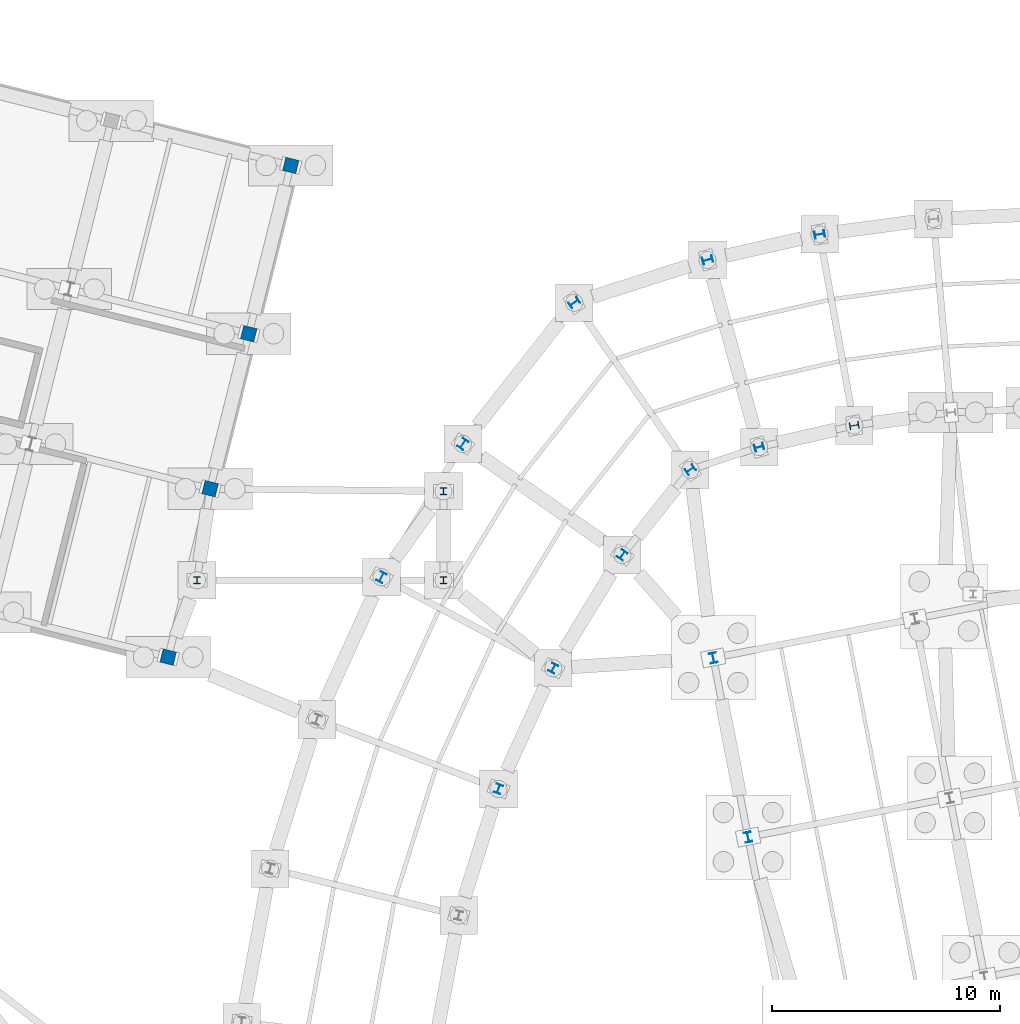
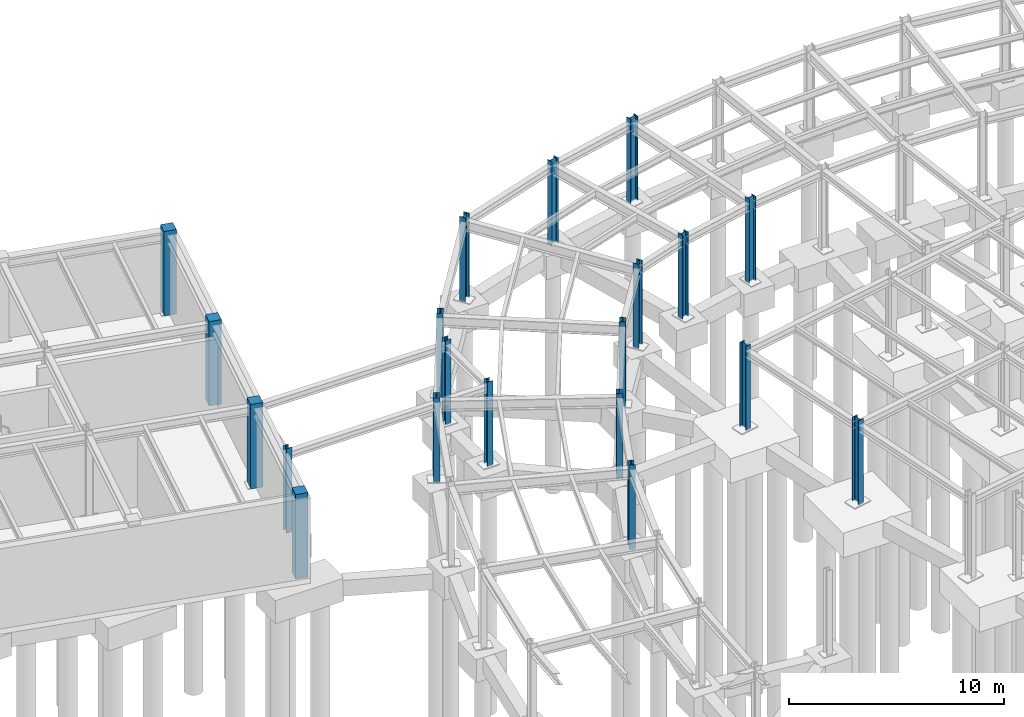
# One storey, part 19 of 50: 20 columns.
"""IFC4 building model written with IfcOpenShell, lengths in metres."""

from ifc_helpers import new_model, si_unit, direction, frame, origin, origin_2d, place, context, subcontext, project, spatial, rectangle, i_section, extrude, material, material_profile, profile_set, type_object, element, save


model = new_model("IFC4")

# Units and contexts
model_context = context("Model", 3, precision=1e-05, world=origin(), true_north=direction((0.0, 1.0)))
body_context = subcontext(model_context, "Body", "Model", "MODEL_VIEW")
ifc_project = project(units=[si_unit("LENGTHUNIT", "METRE"), si_unit("AREAUNIT", "SQUARE_METRE"), si_unit("VOLUMEUNIT", "CUBIC_METRE"), si_unit("PLANEANGLEUNIT", "RADIAN"), si_unit("MASSUNIT", "GRAM", prefix="KILO")], contexts=[model_context])

# Site, building, storey
site_placement = place(None, origin())
site = spatial("IfcSite", under=ifc_project, at=site_placement, CompositionType="ELEMENT")
building_placement = place(site_placement, origin())
building = spatial("IfcBuilding", under=site, at=building_placement, Name="Varnklinge Art Gallery", CompositionType="ELEMENT")
storey_placement = place(building_placement, frame((0.0, 0.0, -4.800048828125)))
storey = spatial("IfcBuildingStorey", under=building, at=storey_placement, Name="B01", CompositionType="ELEMENT", Elevation=-4.800048828125)

# Columns
ifc_material_1 = material(Name="Steel S355", Category="steel")
ifc_material_profile_1 = material_profile(ifc_material_1, i_section(OverallWidth=0.300048828125, OverallDepth=0.449951171875, WebThickness=0.013916015625, FlangeThickness=0.02587890625, FilletRadius=0.027099609375, at=origin_2d()), Name="HEB 450")
ifc_profile_set_1 = profile_set([ifc_material_profile_1], Name="Steel S355")
column_type_1 = type_object("IfcColumnType", Name="COL-06", PredefinedType="COLUMN", material=ifc_profile_set_1)
for number, where, z_axis, x_axis, name in (
    (1, (65.479736328125, 96.35498046875, 0.0), (0.0, 0.0, 1.0), (0.178115290264, -0.984009625651, 0.0), "B01 Column V2CO-19"),
    (2, (60.5703125, 95.2373046875, 0.0), (0.0, 0.0, 1.0), (0.265387847052, -0.964141737836, 0.0), "B01 Column V2CO-20"),
    (3, (54.72900390625, 93.35986328125, 0.0), (0.0, 0.0, 1.0), (0.570570241419, -0.821248804935, 0.0), "B01 Column V2CO-21"),
    (4, (49.85009765625, 87.1748046875, 0.0), (0.0, 0.0, 1.0), (0.820351542489, -0.571859551582, 0.0), "B01 Column V2CO-22"),
    (5, (46.28369140625, 81.3310546875, 0.0), (0.0, 0.0, 1.0), (0.883683947469, -0.468084053333, 0.0), "B01 Column V2CO-23"),
    (6, (62.34619140625, 69.943115234375, 0.0), (0.0, 0.0, 1.0), (0.981627183448, 0.190808995377, 0.0), "B01 Column V4BC-1-2"),
    (7, (60.819580078125, 77.796142578125, 0.0), (0.0, 0.0, 1.0), (0.981627183448, 0.190808995377, 0.0), "B01 Column V4BC-1-3"),
):
    element("IfcColumn", number, at=place(storey_placement, frame(where, z_axis=z_axis, x_axis=x_axis)), inside=storey, type_object=column_type_1, Name=name, PredefinedType="COLUMN", context=body_context, shape_type="SweptSolid", body=[
        extrude(i_section(OverallWidth=0.300048828125, OverallDepth=0.449951171875, WebThickness=0.013916015625, FlangeThickness=0.02587890625, FilletRadius=0.027099609375, at=origin_2d()), origin(), (0.0, 0.0, 1.0), 4.800048828125),
    ])
ifc_material_2 = material(Name="Steel S355", Category="steel")
ifc_material_profile_2 = material_profile(ifc_material_2, i_section(OverallWidth=0.300048828125, OverallDepth=0.39990234375, WebThickness=0.013427734375, FlangeThickness=0.02392578125, FilletRadius=0.027099609375, at=origin_2d()), Name="HEB 400")
ifc_profile_set_2 = profile_set([ifc_material_profile_2], Name="Steel S355")
column_type_2 = type_object("IfcColumnType", Name="COL-07", PredefinedType="COLUMN", material=ifc_profile_set_2)
for number, where, z_axis, x_axis, name in (
    (8, (66.99560546875, 87.981689453125, 0.0), (0.0, 0.0, 1.0), (0.178115290264, -0.984009625651, 0.0), "B01 Column V2CI-19"),
    (9, (62.82861328125, 87.033203125, 0.0), (0.0, 0.0, 1.0), (0.265387847052, -0.964141737836, 0.0), "B01 Column V2CI-20"),
    (10, (59.814208984375, 86.041015625, 0.0), (0.0, 0.0, 1.0), (0.570570241419, -0.821248804935, 0.0), "B01 Column V2CI-21"),
    (11, (56.8369140625, 82.3037109375, 0.0), (0.0, 0.0, 1.0), (0.820351542489, -0.571859551582, 0.0), "B01 Column V2CI-22"),
    (12, (53.810302734375, 77.344482421875, 0.0), (0.0, 0.0, 1.0), (0.883683947469, -0.468084053333, 0.0), "B01 Column V2CI-23"),
    (13, (51.40869140625, 72.0546875, 0.0), (0.0, 0.0, 1.0), (0.934017558691, -0.357227098715, 0.0), "B01 Column V2CI-24"),
):
    element("IfcColumn", number, at=place(storey_placement, frame(where, z_axis=z_axis, x_axis=x_axis)), inside=storey, type_object=column_type_2, Name=name, PredefinedType="COLUMN", context=body_context, shape_type="SweptSolid", body=[
        extrude(i_section(OverallWidth=0.300048828125, OverallDepth=0.39990234375, WebThickness=0.013427734375, FlangeThickness=0.02392578125, FilletRadius=0.027099609375, at=origin_2d()), origin(), (0.0, 0.0, 1.0), 4.800048828125),
    ])
ifc_material_3 = material(Name="Steel S355", Category="steel")
ifc_material_profile_3 = material_profile(ifc_material_3, i_section(OverallWidth=0.300048828125, OverallDepth=0.320068359375, WebThickness=0.011474609375, FlangeThickness=0.0205078125, FilletRadius=0.027099609375, at=origin_2d()), Name="HEB 320")
ifc_profile_set_3 = profile_set([ifc_material_profile_3], Name="Steel S355")
column_type_3 = type_object("IfcColumnType", Name="COL-09", PredefinedType="COLUMN", material=ifc_profile_set_3)
for number, where, z_axis, x_axis, name in (
    (14, (38.199951171875, 81.199951171875, 0.0), (0.0, 0.0, 1.0), (1.0, 0.0, 0.0), "B01 Column LNK-V5-C1"),
    (15, (49.0, 81.199951171875, 0.0), (0.0, 0.0, 1.0), (1.0, 0.0, 0.0), "B01 Column LNK-V5-C2"),
    (16, (49.0, 85.10009765625, 0.0), (0.0, 0.0, 1.0), (1.0, 0.0, 0.0), "B01 Column LNK-V5-C3"),
):
    element("IfcColumn", number, at=place(storey_placement, frame(where, z_axis=z_axis, x_axis=x_axis)), inside=storey, type_object=column_type_3, Name=name, PredefinedType="COLUMN", context=body_context, shape_type="SweptSolid", body=[
        extrude(i_section(OverallWidth=0.300048828125, OverallDepth=0.320068359375, WebThickness=0.011474609375, FlangeThickness=0.0205078125, FilletRadius=0.027099609375, at=origin_2d()), origin(), (0.0, 0.0, 1.0), 4.800048828125),
    ])
ifc_material_4 = material(Name="Concrete C40/50", Category="concrete")
ifc_material_profile_4 = material_profile(ifc_material_4, rectangle(XDim=0.60009765625, YDim=0.60009765625, at=origin_2d()), Name="RC 600x600")
ifc_profile_set_4 = profile_set([ifc_material_profile_4], Name="Concrete C40/50")
column_type_4 = type_object("IfcColumnType", Name="COL-RC2", PredefinedType="COLUMN", material=ifc_profile_set_4)
for number, where, z_axis, x_axis, name in (
    (17, (36.936279296875, 77.834716796875, 0.0), (0.0, 0.0, 1.0), (0.970295726276, -0.2419218956, 0.0), "B01 Column V5C-5-1"),
    (18, (38.77490234375, 85.208984375, 0.0), (0.0, 0.0, 1.0), (0.970295726276, -0.2419218956, 0.0), "B01 Column V5C-5-2"),
    (19, (40.468505859375, 92.001220703125, 0.0), (0.0, 0.0, 1.0), (0.970295726276, -0.2419218956, 0.0), "B01 Column V5C-5-3"),
    (20, (42.30712890625, 99.375244140625, 0.0), (0.0, 0.0, 1.0), (0.970295726276, -0.2419218956, 0.0), "B01 Column V5C-5-4"),
):
    element("IfcColumn", number, at=place(storey_placement, frame(where, z_axis=z_axis, x_axis=x_axis)), inside=storey, type_object=column_type_4, Name=name, PredefinedType="COLUMN", context=body_context, shape_type="SweptSolid", body=[
        extrude(rectangle(XDim=0.60009765625, YDim=0.60009765625, at=origin_2d()), origin(), (0.0, 0.0, 1.0), 4.800048828125),
    ])

save(model, "model.ifc")
